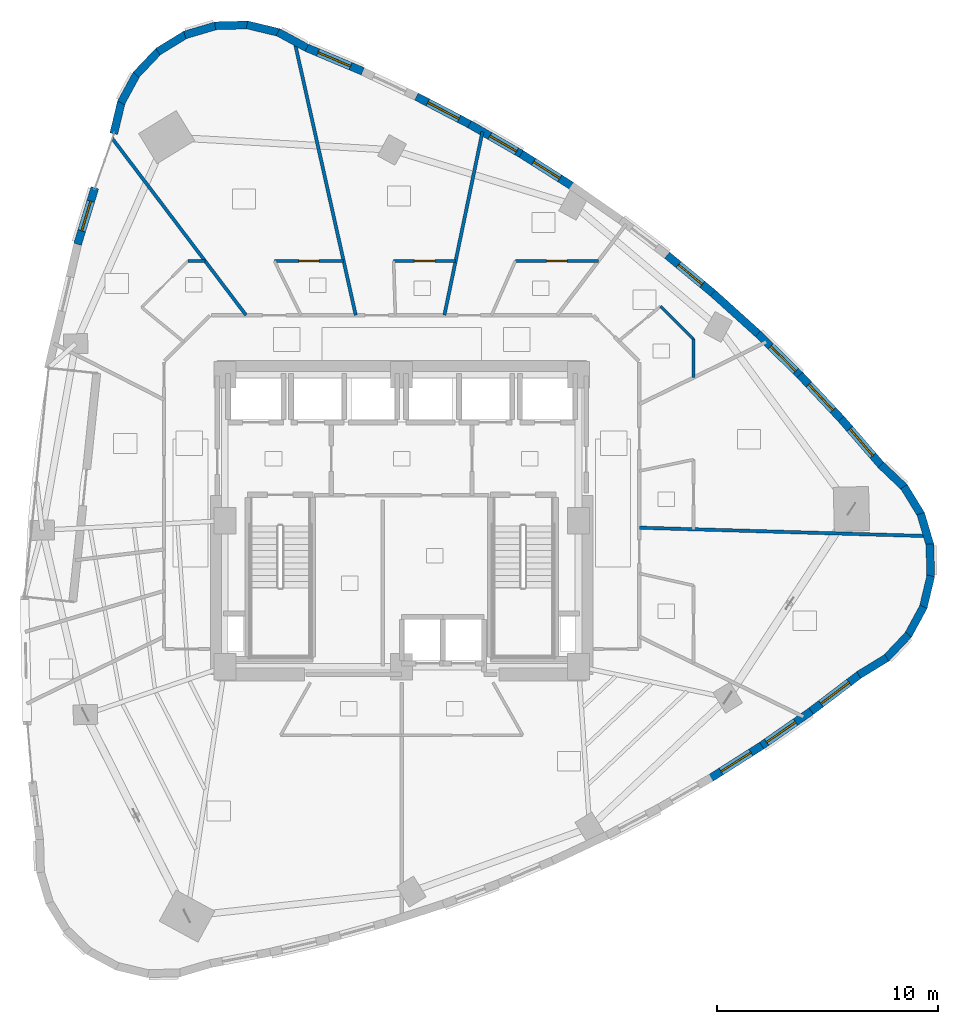
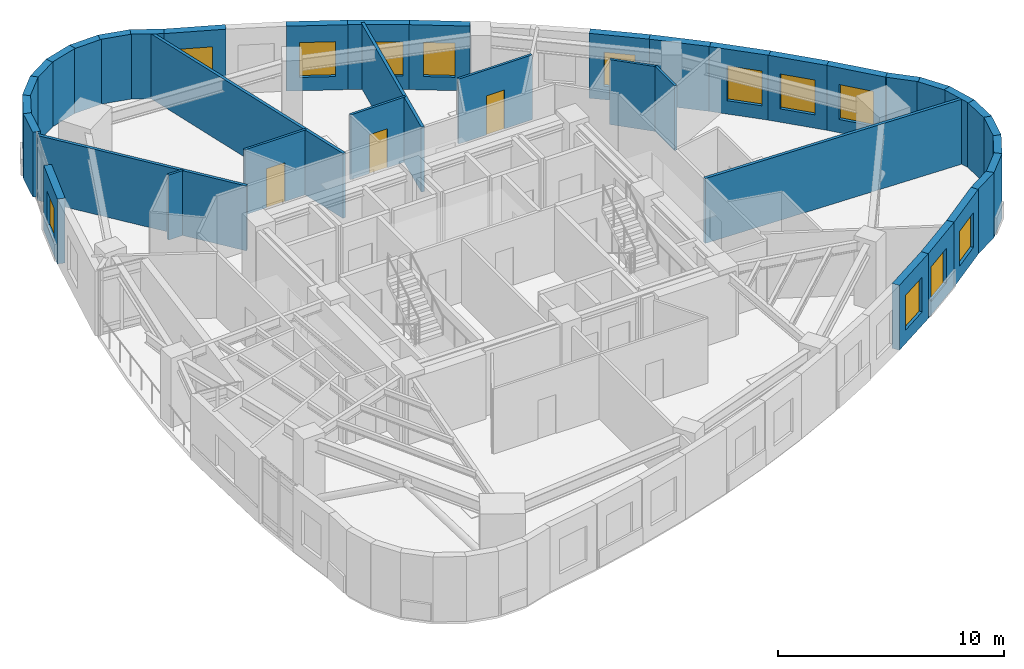
# One storey, part 12 of 16: 39 walls, 12 windows, 3 doors, 15 openings.
"""IFC4 building model written with IfcOpenShell, lengths in metres."""

from ifc_helpers import new_model, si_unit, direction, frame, frame_2d, origin, place, context, subcontext, project, spatial, rectangle, extrude, material, layer, layer_set, type_object, element, fill, save


model = new_model("IFC4")

# Units and contexts
model_context = context("Model", 3, precision=1e-05, world=origin(), true_north=direction((0.0, 1.0)))
body_context = subcontext(model_context, "Body", "Model", "MODEL_VIEW")
ifc_project = project(units=[si_unit("LENGTHUNIT", "METRE"), si_unit("AREAUNIT", "SQUARE_METRE"), si_unit("VOLUMEUNIT", "CUBIC_METRE"), si_unit("PLANEANGLEUNIT", "RADIAN"), si_unit("MASSUNIT", "GRAM", prefix="KILO")], contexts=[model_context])

# Site, building, storey
site_placement = place(None, origin())
site = spatial("IfcSite", under=ifc_project, at=site_placement, CompositionType="ELEMENT")
building_placement = place(site_placement, origin())
building = spatial("IfcBuilding", under=site, at=building_placement, Name="Ndelora Gate Hotel", CompositionType="ELEMENT")
storey_placement = place(building_placement, frame((0.0, 0.0, 97.25)))
storey = spatial("IfcBuildingStorey", under=building, at=storey_placement, Name="L23", CompositionType="ELEMENT", Elevation=97.25)

# Walls
ifc_material_1 = material(Name="Clay Brick Masonry", Category="masonry")
ifc_layer_1 = layer(ifc_material_1, 0.360107421875)
ifc_layer_set_1 = layer_set([ifc_layer_1], Name="Clay Brick Masonry")
wall_type_1 = type_object("IfcWallType", Name="WL-BRICK-360", PredefinedType="SOLIDWALL", material=ifc_layer_set_1)
for number, where, z_axis, x_axis, name in (
    (1, (-5.60009765625, 22.102294921875, 0.0), (0.0, 0.0, 1.0), (0.878835716595, -0.477124494484, 0.0), "L23 Tower Brick Pier-and-Spandrel Wall TWR-1"),
    (2, (-6.99853515625, 22.431396484375, 0.0), (0.0, 0.0, 1.0), (0.972399232605, -0.233323235941, 0.0), "L23 Tower Brick Pier-and-Spandrel Wall TWR-2"),
    (3, (-8.4345703125, 22.38720703125, 0.0), (0.0, 0.0, 1.0), (0.999654374037, 0.026289398397, 0.0), "L23 Tower Brick Pier-and-Spandrel Wall TWR-3"),
    (4, (-9.810302734375, 21.97314453125, 0.0), (0.0, 0.0, 1.0), (0.958851135896, 0.283909315084, 0.0), "L23 Tower Brick Pier-and-Spandrel Wall TWR-4"),
    (5, (-11.03173828125, 21.216796875, 0.0), (0.0, 0.0, 1.0), (0.852554021927, 0.522639110378, 0.0), "L23 Tower Brick Pier-and-Spandrel Wall TWR-5"),
    (6, (-12.01611328125, 20.17041015625, 0.0), (0.0, 0.0, 1.0), (0.688464400899, 0.725270134981, 0.0), "L23 Tower Brick Pier-and-Spandrel Wall TWR-6"),
    (7, (-12.69580078125, 18.90478515625, 0.0), (0.0, 0.0, 1.0), (0.477193395873, 0.878798306174, 0.0), "L23 Tower Brick Pier-and-Spandrel Wall TWR-7"),
):
    element("IfcWall", number, at=place(storey_placement, frame(where, z_axis=z_axis, x_axis=x_axis)), inside=storey, type_object=wall_type_1, Name=name, PredefinedType="SOLIDWALL", context=body_context, shape_type="SweptSolid", body=[
        extrude(rectangle(XDim=1.48583984375, YDim=0.360107421875, at=frame_2d((0.742919921875, 0.0))), origin(), (0.0, 0.0, 1.0), 3.5),
    ])
wall_1_placement = place(storey_placement, frame((-13.02490234375, 17.50634765625, 0.0), z_axis=(0.0, 0.0, 1.0), x_axis=(0.23351590147, 0.972352983109, 0.0)))
element("IfcWall", 8, at=wall_1_placement, inside=storey, type_object=wall_type_1, Name="L23 Tower Brick Pier-and-Spandrel Wall TWR-8", PredefinedType="SOLIDWALL", context=body_context, shape_type="SweptSolid", body=[
    extrude(rectangle(XDim=1.485595703125, YDim=0.360107421875, at=frame_2d((0.74267578125, 0.0))), origin(), (0.0, 0.0, 1.0), 3.5),
])

# Wall, opening, window
wall_2_placement = place(storey_placement, frame((-14.659912109375, 12.506591796875, 0.0), z_axis=(0.0, 0.0, 1.0), x_axis=(0.291842096338, 0.956466513164, 0.0)))
wall_2 = element("IfcWall", 9, at=wall_2_placement, inside=storey, type_object=wall_type_1, Name="L23 Tower Brick Pier-and-Spandrel Wall TWR-10", PredefinedType="SOLIDWALL", context=body_context, shape_type="SweptSolid", body=[
    extrude(rectangle(XDim=2.66943359375, YDim=0.360107421875, at=frame_2d((1.334716796875, 0.0))), origin(), (0.0, 0.0, 1.0), 3.5),
])
opening_1_placement = place(wall_2_placement, frame((0.634765625, 0.0, 0.719970703125)))
opening_1 = element("IfcOpeningElement", 10, at=opening_1_placement, cuts=wall_2, Name="Opening W02", PredefinedType="OPENING", context=body_context, shape_type="SweptSolid", body=[
    extrude(rectangle(XDim=1.39990234375, YDim=1.840087890625, at=frame_2d((0.699951171875, 0.919921875))), frame((0.0, 0.18994140625, 0.0), z_axis=(0.0, -1.0, 0.0), x_axis=(1.0, 0.0, 0.0)), (0.0, 0.0, 1.0), 0.380126953125),
])
ifc_material_2 = material(Name="Insulated Low-E Double Glazing in Bronze Aluminium Frame", Category="aluminium")
window_type_1 = type_object("IfcWindowType", Name="WN-DEEP-1400", PartitioningType="SINGLE_PANEL", PredefinedType="WINDOW", material=ifc_material_2)
window_1_placement = place(opening_1_placement, origin())
window_1 = element("IfcWindow", 11, at=window_1_placement, inside=storey, type_object=window_type_1, Name="L23 Deep-Set Brick-Pier Window W02", OverallHeight=1.840087890625, OverallWidth=1.39990234375, PartitioningType="SINGLE_PANEL", PredefinedType="WINDOW", context=body_context, shape_type="SweptSolid", body=[
    extrude(rectangle(XDim=1.39990234375, YDim=1.840087890625, at=frame_2d((0.699951171875, 0.919921875))), frame((0.0, 0.030029296875, 0.0), z_axis=(0.0, -1.0, 0.0), x_axis=(1.0, 0.0, 0.0)), (0.0, 0.0, 1.0), 0.06005859375),
])
fill(opening_1, window_1)

wall_3_placement = place(storey_placement, frame((16.285400390625, -10.1708984375, 0.0), z_axis=(0.0, 0.0, 1.0), x_axis=(-0.843759875161, -0.53672085209, 0.0)))
wall_3 = element("IfcWall", 12, at=wall_3_placement, inside=storey, type_object=wall_type_1, Name="L23 Tower Brick Pier-and-Spandrel Wall TWR-36", PredefinedType="SOLIDWALL", context=body_context, shape_type="SweptSolid", body=[
    extrude(rectangle(XDim=2.75830078125, YDim=0.360107421875, at=frame_2d((1.379150390625, 0.0))), origin(), (0.0, 0.0, 1.0), 3.5),
])
opening_2_placement = place(wall_3_placement, frame((0.5791015625, 0.0, 0.719970703125)))
opening_2 = element("IfcOpeningElement", 13, at=opening_2_placement, cuts=wall_3, Name="Opening W01", PredefinedType="OPENING", context=body_context, shape_type="SweptSolid", body=[
    extrude(rectangle(XDim=1.60009765625, YDim=1.8798828125, at=frame_2d((0.800048828125, 0.93994140625))), frame((0.0, 0.18994140625, 0.0), z_axis=(0.0, -1.0, 0.0), x_axis=(1.0, 0.0, 0.0)), (0.0, 0.0, 1.0), 0.380126953125),
])
window_type_2 = type_object("IfcWindowType", Name="WN-DEEP-1600", PartitioningType="SINGLE_PANEL", PredefinedType="WINDOW", material=ifc_material_2)
window_2_placement = place(opening_2_placement, origin())
window_2 = element("IfcWindow", 14, at=window_2_placement, inside=storey, type_object=window_type_2, Name="L23 Deep-Set Brick-Pier Window W01", OverallHeight=1.8798828125, OverallWidth=1.60009765625, PartitioningType="SINGLE_PANEL", PredefinedType="WINDOW", context=body_context, shape_type="SweptSolid", body=[
    extrude(rectangle(XDim=1.60009765625, YDim=1.8798828125, at=frame_2d((0.800048828125, 0.93994140625))), frame((0.0, 0.030029296875, 0.0), z_axis=(0.0, -1.0, 0.0), x_axis=(1.0, 0.0, 0.0)), (0.0, 0.0, 1.0), 0.06005859375),
])
fill(opening_2, window_2)

wall_4_placement = place(storey_placement, frame((18.523681640625, -8.612060546875, 0.0), z_axis=(0.0, 0.0, 1.0), x_axis=(-0.820851453433, -0.5711417437, 0.0)))
wall_4 = element("IfcWall", 15, at=wall_4_placement, inside=storey, type_object=wall_type_1, Name="L23 Tower Brick Pier-and-Spandrel Wall TWR-37", PredefinedType="SOLIDWALL", context=body_context, shape_type="SweptSolid", body=[
    extrude(rectangle(XDim=2.777587890625, YDim=0.360107421875, at=frame_2d((1.388671875, 0.0))), origin(), (0.0, 0.0, 1.0), 3.5),
])
opening_3_placement = place(wall_4_placement, frame((0.860107421875, 0.0, 0.719970703125)))
opening_3 = element("IfcOpeningElement", 16, at=opening_3_placement, cuts=wall_4, Name="Opening W03", PredefinedType="OPENING", context=body_context, shape_type="SweptSolid", body=[
    extrude(rectangle(XDim=1.60009765625, YDim=1.8798828125, at=frame_2d((0.800048828125, 0.93994140625))), frame((0.0, 0.18994140625, 0.0), z_axis=(0.0, -1.0, 0.0), x_axis=(1.0, 0.0, 0.0)), (0.0, 0.0, 1.0), 0.380126953125),
])
window_type_3 = type_object("IfcWindowType", Name="WN-CORN-2100", PartitioningType="SINGLE_PANEL", PredefinedType="WINDOW", material=ifc_material_2)
window_3_placement = place(opening_3_placement, origin())
window_3 = element("IfcWindow", 17, at=window_3_placement, inside=storey, type_object=window_type_3, Name="L23 Deep-Set Brick-Pier Window W03", OverallHeight=1.8798828125, OverallWidth=1.60009765625, PartitioningType="SINGLE_PANEL", PredefinedType="WINDOW", context=body_context, shape_type="SweptSolid", body=[
    extrude(rectangle(XDim=1.60009765625, YDim=1.8798828125, at=frame_2d((0.800048828125, 0.93994140625))), frame((0.0, 0.030029296875, 0.0), z_axis=(0.0, -1.0, 0.0), x_axis=(1.0, 0.0, 0.0)), (0.0, 0.0, 1.0), 0.06005859375),
])
fill(opening_3, window_3)

wall_5_placement = place(storey_placement, frame((20.715576171875, -6.949462890625, 0.0), z_axis=(0.0, 0.0, 1.0), x_axis=(-0.796935762967, -0.604064060928, 0.0)))
wall_5 = element("IfcWall", 18, at=wall_5_placement, inside=storey, type_object=wall_type_1, Name="L23 Tower Brick Pier-and-Spandrel Wall TWR-38", PredefinedType="SOLIDWALL", context=body_context, shape_type="SweptSolid", body=[
    extrude(rectangle(XDim=2.80126953125, YDim=0.360107421875, at=frame_2d((1.400634765625, 0.0))), origin(), (0.0, 0.0, 1.0), 3.5),
])
opening_4_placement = place(wall_5_placement, frame((0.6005859375, 0.0, 0.719970703125)))
opening_4 = element("IfcOpeningElement", 19, at=opening_4_placement, cuts=wall_5, Name="Opening W01", PredefinedType="OPENING", context=body_context, shape_type="SweptSolid", body=[
    extrude(rectangle(XDim=1.60009765625, YDim=1.8798828125, at=frame_2d((0.800048828125, 0.93994140625))), frame((0.0, 0.18994140625, 0.0), z_axis=(0.0, -1.0, 0.0), x_axis=(1.0, 0.0, 0.0)), (0.0, 0.0, 1.0), 0.380126953125),
])
window_4_placement = place(opening_4_placement, origin())
window_4 = element("IfcWindow", 20, at=window_4_placement, inside=storey, type_object=window_type_2, Name="L23 Deep-Set Brick-Pier Window W01", OverallHeight=1.8798828125, OverallWidth=1.60009765625, PartitioningType="SINGLE_PANEL", PredefinedType="WINDOW", context=body_context, shape_type="SweptSolid", body=[
    extrude(rectangle(XDim=1.60009765625, YDim=1.8798828125, at=frame_2d((0.800048828125, 0.93994140625))), frame((0.0, 0.030029296875, 0.0), z_axis=(0.0, -1.0, 0.0), x_axis=(1.0, 0.0, 0.0)), (0.0, 0.0, 1.0), 0.06005859375),
])
fill(opening_4, window_4)

# Walls
for number, where, z_axis, x_axis, name in (
    (21, (21.941162109375, -6.201416015625, 0.0), (0.0, 0.0, 1.0), (-0.852627228439, -0.522519673624, 0.0), "L23 Tower Brick Pier-and-Spandrel Wall TWR-39"),
    (22, (22.925537109375, -5.15478515625, 0.0), (0.0, 0.0, 1.0), (-0.688464400899, -0.725270134981, 0.0), "L23 Tower Brick Pier-and-Spandrel Wall TWR-40"),
):
    element("IfcWall", number, at=place(storey_placement, frame(where, z_axis=z_axis, x_axis=x_axis)), inside=storey, type_object=wall_type_1, Name=name, PredefinedType="SOLIDWALL", context=body_context, shape_type="SweptSolid", body=[
        extrude(rectangle(XDim=1.48583984375, YDim=0.360107421875, at=frame_2d((0.742919921875, 0.0))), origin(), (0.0, 0.0, 1.0), 3.5),
    ])
for number, where, z_axis, x_axis, name in (
    (23, (23.605224609375, -3.88916015625, 0.0), (0.0, 0.0, 1.0), (-0.477066476677, -0.878867212286, 0.0), "L23 Tower Brick Pier-and-Spandrel Wall TWR-41"),
    (24, (23.934326171875, -2.49072265625, 0.0), (0.0, 0.0, 1.0), (-0.233360521413, -0.972390285352, 0.0), "L23 Tower Brick Pier-and-Spandrel Wall TWR-42"),
):
    element("IfcWall", number, at=place(storey_placement, frame(where, z_axis=z_axis, x_axis=x_axis)), inside=storey, type_object=wall_type_1, Name=name, PredefinedType="SOLIDWALL", context=body_context, shape_type="SweptSolid", body=[
        extrude(rectangle(XDim=1.485595703125, YDim=0.360107421875, at=frame_2d((0.74267578125, 0.0))), origin(), (0.0, 0.0, 1.0), 3.5),
    ])
for number, where, z_axis, x_axis, name in (
    (25, (23.89013671875, -1.0546875, 0.0), (0.0, 0.0, 1.0), (0.026289398397, -0.999654374037, 0.0), "L23 Tower Brick Pier-and-Spandrel Wall TWR-43"),
    (26, (23.47607421875, 0.321044921875, 0.0), (0.0, 0.0, 1.0), (0.283909315084, -0.958851135896, 0.0), "L23 Tower Brick Pier-and-Spandrel Wall TWR-44"),
    (27, (22.719970703125, 1.54248046875, 0.0), (0.0, 0.0, 1.0), (0.522519673624, -0.852627228439, 0.0), "L23 Tower Brick Pier-and-Spandrel Wall TWR-45"),
    (28, (21.67333984375, 2.526611328125, 0.0), (0.0, 0.0, 1.0), (0.725430039612, -0.688295908479, 0.0), "L23 Tower Brick Pier-and-Spandrel Wall TWR-46"),
):
    element("IfcWall", number, at=place(storey_placement, frame(where, z_axis=z_axis, x_axis=x_axis)), inside=storey, type_object=wall_type_1, Name=name, PredefinedType="SOLIDWALL", context=body_context, shape_type="SweptSolid", body=[
        extrude(rectangle(XDim=1.48583984375, YDim=0.360107421875, at=frame_2d((0.742919921875, 0.0))), origin(), (0.0, 0.0, 1.0), 3.5),
    ])

# Wall, opening, window
wall_6_placement = place(storey_placement, frame((19.8759765625, 4.60986328125, 0.0), z_axis=(0.0, 0.0, 1.0), x_axis=(0.653907994708, -0.75657407731, 0.0)))
wall_6 = element("IfcWall", 29, at=wall_6_placement, inside=storey, type_object=wall_type_1, Name="L23 Tower Brick Pier-and-Spandrel Wall TWR-47", PredefinedType="SOLIDWALL", context=body_context, shape_type="SweptSolid", body=[
    extrude(rectangle(XDim=2.80126953125, YDim=0.360107421875, at=frame_2d((1.400634765625, 0.0))), origin(), (0.0, 0.0, 1.0), 3.5),
])
opening_5_placement = place(wall_6_placement, frame((0.6005859375, 0.0, 0.719970703125)))
opening_5 = element("IfcOpeningElement", 30, at=opening_5_placement, cuts=wall_6, Name="Opening W01", PredefinedType="OPENING", context=body_context, shape_type="SweptSolid", body=[
    extrude(rectangle(XDim=1.60009765625, YDim=1.8798828125, at=frame_2d((0.800048828125, 0.93994140625))), frame((0.0, 0.18994140625, 0.0), z_axis=(0.0, -1.0, 0.0), x_axis=(1.0, 0.0, 0.0)), (0.0, 0.0, 1.0), 0.380126953125),
])
window_5_placement = place(opening_5_placement, origin())
window_5 = element("IfcWindow", 31, at=window_5_placement, inside=storey, type_object=window_type_2, Name="L23 Deep-Set Brick-Pier Window W01", OverallHeight=1.8798828125, OverallWidth=1.60009765625, PartitioningType="SINGLE_PANEL", PredefinedType="WINDOW", context=body_context, shape_type="SweptSolid", body=[
    extrude(rectangle(XDim=1.60009765625, YDim=1.8798828125, at=frame_2d((0.800048828125, 0.93994140625))), frame((0.0, 0.030029296875, 0.0), z_axis=(0.0, -1.0, 0.0), x_axis=(1.0, 0.0, 0.0)), (0.0, 0.0, 1.0), 0.06005859375),
])
fill(opening_5, window_5)

wall_7_placement = place(storey_placement, frame((18.00927734375, 6.598388671875, 0.0), z_axis=(0.0, 0.0, 1.0), x_axis=(0.68415455393, -0.729337059484, 0.0)))
wall_7 = element("IfcWall", 32, at=wall_7_placement, inside=storey, type_object=wall_type_1, Name="L23 Tower Brick Pier-and-Spandrel Wall TWR-48", PredefinedType="SOLIDWALL", context=body_context, shape_type="SweptSolid", body=[
    extrude(rectangle(XDim=2.77734375, YDim=0.360107421875, at=frame_2d((1.388671875, 0.0))), origin(), (0.0, 0.0, 1.0), 3.5),
])
opening_6_placement = place(wall_7_placement, frame((0.5888671875, 0.0, 0.719970703125)))
opening_6 = element("IfcOpeningElement", 33, at=opening_6_placement, cuts=wall_7, Name="Opening W01", PredefinedType="OPENING", context=body_context, shape_type="SweptSolid", body=[
    extrude(rectangle(XDim=1.60009765625, YDim=1.8798828125, at=frame_2d((0.800048828125, 0.93994140625))), frame((0.0, 0.18994140625, 0.0), z_axis=(0.0, -1.0, 0.0), x_axis=(1.0, 0.0, 0.0)), (0.0, 0.0, 1.0), 0.380126953125),
])
window_6_placement = place(opening_6_placement, origin())
window_6 = element("IfcWindow", 34, at=window_6_placement, inside=storey, type_object=window_type_2, Name="L23 Deep-Set Brick-Pier Window W01", OverallHeight=1.8798828125, OverallWidth=1.60009765625, PartitioningType="SINGLE_PANEL", PredefinedType="WINDOW", context=body_context, shape_type="SweptSolid", body=[
    extrude(rectangle(XDim=1.60009765625, YDim=1.8798828125, at=frame_2d((0.800048828125, 0.93994140625))), frame((0.0, 0.030029296875, 0.0), z_axis=(0.0, -1.0, 0.0), x_axis=(1.0, 0.0, 0.0)), (0.0, 0.0, 1.0), 0.06005859375),
])
fill(opening_6, window_6)

wall_8_placement = place(storey_placement, frame((16.075439453125, 8.494873046875, 0.0), z_axis=(0.0, 0.0, 1.0), x_axis=(0.713713584755, -0.70043766242, 0.0)))
wall_8 = element("IfcWall", 35, at=wall_8_placement, inside=storey, type_object=wall_type_1, Name="L23 Tower Brick Pier-and-Spandrel Wall TWR-49", PredefinedType="SOLIDWALL", context=body_context, shape_type="SweptSolid", body=[
    extrude(rectangle(XDim=2.758544921875, YDim=0.360107421875, at=frame_2d((1.37939453125, 0.0))), origin(), (0.0, 0.0, 1.0), 3.5),
])
opening_7_placement = place(wall_8_placement, frame((0.860107421875, 0.0, 0.719970703125)))
opening_7 = element("IfcOpeningElement", 36, at=opening_7_placement, cuts=wall_8, Name="Opening W03", PredefinedType="OPENING", context=body_context, shape_type="SweptSolid", body=[
    extrude(rectangle(XDim=1.60009765625, YDim=1.8798828125, at=frame_2d((0.800048828125, 0.93994140625))), frame((0.0, 0.18994140625, 0.0), z_axis=(0.0, -1.0, 0.0), x_axis=(1.0, 0.0, 0.0)), (0.0, 0.0, 1.0), 0.380126953125),
])
window_7_placement = place(opening_7_placement, origin())
window_7 = element("IfcWindow", 37, at=window_7_placement, inside=storey, type_object=window_type_3, Name="L23 Deep-Set Brick-Pier Window W03", OverallHeight=1.8798828125, OverallWidth=1.60009765625, PartitioningType="SINGLE_PANEL", PredefinedType="WINDOW", context=body_context, shape_type="SweptSolid", body=[
    extrude(rectangle(XDim=1.60009765625, YDim=1.8798828125, at=frame_2d((0.800048828125, 0.93994140625))), frame((0.0, 0.030029296875, 0.0), z_axis=(0.0, -1.0, 0.0), x_axis=(1.0, 0.0, 0.0)), (0.0, 0.0, 1.0), 0.06005859375),
])
fill(opening_7, window_7)

# Wall
wall_9_placement = place(storey_placement, frame((14.07470703125, 10.299072265625, 0.0), z_axis=(0.0, 0.0, 1.0), x_axis=(0.742346706701, -0.67001594537, 0.0)))
element("IfcWall", 38, at=wall_9_placement, inside=storey, type_object=wall_type_1, Name="L23 Tower Brick Pier-and-Spandrel Wall TWR-50", PredefinedType="SOLIDWALL", context=body_context, shape_type="SweptSolid", body=[
    extrude(rectangle(XDim=2.744140625, YDim=0.360107421875, at=frame_2d((1.3720703125, 0.0))), origin(), (0.0, 0.0, 1.0), 3.5),
])

# Wall, opening, window
wall_10_placement = place(storey_placement, frame((12.007080078125, 12.01123046875, 0.0), z_axis=(0.0, 0.0, 1.0), x_axis=(0.769960149578, -0.63809197461, 0.0)))
wall_10 = element("IfcWall", 39, at=wall_10_placement, inside=storey, type_object=wall_type_1, Name="L23 Tower Brick Pier-and-Spandrel Wall TWR-51", PredefinedType="SOLIDWALL", context=body_context, shape_type="SweptSolid", body=[
    extrude(rectangle(XDim=2.734619140625, YDim=0.360107421875, at=frame_2d((1.3671875, 0.0))), origin(), (0.0, 0.0, 1.0), 3.5),
])
opening_8_placement = place(wall_10_placement, frame((0.667236328125, 0.0, 0.719970703125)))
opening_8 = element("IfcOpeningElement", 40, at=opening_8_placement, cuts=wall_10, Name="Opening W02", PredefinedType="OPENING", context=body_context, shape_type="SweptSolid", body=[
    extrude(rectangle(XDim=1.39990234375, YDim=1.840087890625, at=frame_2d((0.699951171875, 0.919921875))), frame((0.0, 0.18994140625, 0.0), z_axis=(0.0, -1.0, 0.0), x_axis=(1.0, 0.0, 0.0)), (0.0, 0.0, 1.0), 0.380126953125),
])
window_8_placement = place(opening_8_placement, origin())
window_8 = element("IfcWindow", 41, at=window_8_placement, inside=storey, type_object=window_type_1, Name="L23 Deep-Set Brick-Pier Window W02", OverallHeight=1.840087890625, OverallWidth=1.39990234375, PartitioningType="SINGLE_PANEL", PredefinedType="WINDOW", context=body_context, shape_type="SweptSolid", body=[
    extrude(rectangle(XDim=1.39990234375, YDim=1.840087890625, at=frame_2d((0.699951171875, 0.919921875))), frame((0.0, 0.030029296875, 0.0), z_axis=(0.0, -1.0, 0.0), x_axis=(1.0, 0.0, 0.0)), (0.0, 0.0, 1.0), 0.06005859375),
])
fill(opening_8, window_8)

wall_11_placement = place(storey_placement, frame((5.40283203125, 16.59423828125, 0.0), z_axis=(0.0, 0.0, 1.0), x_axis=(0.844802931873, -0.535077570357, 0.0)))
wall_11 = element("IfcWall", 42, at=wall_11_placement, inside=storey, type_object=wall_type_1, Name="L23 Tower Brick Pier-and-Spandrel Wall TWR-54", PredefinedType="SOLIDWALL", context=body_context, shape_type="SweptSolid", body=[
    extrude(rectangle(XDim=2.734375, YDim=0.360107421875, at=frame_2d((1.3671875, 0.0))), origin(), (0.0, 0.0, 1.0), 3.5),
])
opening_9_placement = place(wall_11_placement, frame((0.667236328125, 0.0, 0.719970703125)))
opening_9 = element("IfcOpeningElement", 43, at=opening_9_placement, cuts=wall_11, Name="Opening W02", PredefinedType="OPENING", context=body_context, shape_type="SweptSolid", body=[
    extrude(rectangle(XDim=1.39990234375, YDim=1.840087890625, at=frame_2d((0.699951171875, 0.919921875))), frame((0.0, 0.18994140625, 0.0), z_axis=(0.0, -1.0, 0.0), x_axis=(1.0, 0.0, 0.0)), (0.0, 0.0, 1.0), 0.380126953125),
])
window_9_placement = place(opening_9_placement, origin())
window_9 = element("IfcWindow", 44, at=window_9_placement, inside=storey, type_object=window_type_1, Name="L23 Deep-Set Brick-Pier Window W02", OverallHeight=1.840087890625, OverallWidth=1.39990234375, PartitioningType="SINGLE_PANEL", PredefinedType="WINDOW", context=body_context, shape_type="SweptSolid", body=[
    extrude(rectangle(XDim=1.39990234375, YDim=1.840087890625, at=frame_2d((0.699951171875, 0.919921875))), frame((0.0, 0.030029296875, 0.0), z_axis=(0.0, -1.0, 0.0), x_axis=(1.0, 0.0, 0.0)), (0.0, 0.0, 1.0), 0.06005859375),
])
fill(opening_9, window_9)

wall_12_placement = place(storey_placement, frame((3.067626953125, 17.937744140625, 0.0), z_axis=(0.0, 0.0, 1.0), x_axis=(0.866601472799, -0.499000889121, 0.0)))
wall_12 = element("IfcWall", 45, at=wall_12_placement, inside=storey, type_object=wall_type_1, Name="L23 Tower Brick Pier-and-Spandrel Wall TWR-55", PredefinedType="SOLIDWALL", context=body_context, shape_type="SweptSolid", body=[
    extrude(rectangle(XDim=2.744140625, YDim=0.360107421875, at=frame_2d((1.3720703125, 0.0))), origin(), (0.0, 0.0, 1.0), 3.5),
])
opening_10_placement = place(wall_12_placement, frame((1.06005859375, 0.0, 0.719970703125)))
opening_10 = element("IfcOpeningElement", 46, at=opening_10_placement, cuts=wall_12, Name="Opening W02", PredefinedType="OPENING", context=body_context, shape_type="SweptSolid", body=[
    extrude(rectangle(XDim=1.39990234375, YDim=1.840087890625, at=frame_2d((0.699951171875, 0.919921875))), frame((0.0, 0.18994140625, 0.0), z_axis=(0.0, -1.0, 0.0), x_axis=(1.0, 0.0, 0.0)), (0.0, 0.0, 1.0), 0.380126953125),
])
window_10_placement = place(opening_10_placement, origin())
window_10 = element("IfcWindow", 47, at=window_10_placement, inside=storey, type_object=window_type_1, Name="L23 Deep-Set Brick-Pier Window W02", OverallHeight=1.840087890625, OverallWidth=1.39990234375, PartitioningType="SINGLE_PANEL", PredefinedType="WINDOW", context=body_context, shape_type="SweptSolid", body=[
    extrude(rectangle(XDim=1.39990234375, YDim=1.840087890625, at=frame_2d((0.699951171875, 0.919921875))), frame((0.0, 0.030029296875, 0.0), z_axis=(0.0, -1.0, 0.0), x_axis=(1.0, 0.0, 0.0)), (0.0, 0.0, 1.0), 0.06005859375),
])
fill(opening_10, window_10)

wall_13_placement = place(storey_placement, frame((0.66552734375, 19.18896484375, 0.0), z_axis=(0.0, 0.0, 1.0), x_axis=(0.886704748188, -0.462336121822, 0.0)))
wall_13 = element("IfcWall", 48, at=wall_13_placement, inside=storey, type_object=wall_type_1, Name="L23 Tower Brick Pier-and-Spandrel Wall TWR-56", PredefinedType="SOLIDWALL", context=body_context, shape_type="SweptSolid", body=[
    extrude(rectangle(XDim=2.758544921875, YDim=0.360107421875, at=frame_2d((1.37939453125, 0.0))), origin(), (0.0, 0.0, 1.0), 3.5),
])
opening_11_placement = place(wall_13_placement, frame((0.5791015625, 0.0, 0.719970703125)))
opening_11 = element("IfcOpeningElement", 49, at=opening_11_placement, cuts=wall_13, Name="Opening W01", PredefinedType="OPENING", context=body_context, shape_type="SweptSolid", body=[
    extrude(rectangle(XDim=1.60009765625, YDim=1.8798828125, at=frame_2d((0.800048828125, 0.93994140625))), frame((0.0, 0.18994140625, 0.0), z_axis=(0.0, -1.0, 0.0), x_axis=(1.0, 0.0, 0.0)), (0.0, 0.0, 1.0), 0.380126953125),
])
window_11_placement = place(opening_11_placement, origin())
window_11 = element("IfcWindow", 50, at=window_11_placement, inside=storey, type_object=window_type_2, Name="L23 Deep-Set Brick-Pier Window W01", OverallHeight=1.8798828125, OverallWidth=1.60009765625, PartitioningType="SINGLE_PANEL", PredefinedType="WINDOW", context=body_context, shape_type="SweptSolid", body=[
    extrude(rectangle(XDim=1.60009765625, YDim=1.8798828125, at=frame_2d((0.800048828125, 0.93994140625))), frame((0.0, 0.030029296875, 0.0), z_axis=(0.0, -1.0, 0.0), x_axis=(1.0, 0.0, 0.0)), (0.0, 0.0, 1.0), 0.06005859375),
])
fill(opening_11, window_11)

wall_14_placement = place(storey_placement, frame((-4.33935546875, 21.4150390625, 0.0), z_axis=(0.0, 0.0, 1.0), x_axis=(0.921579586259, -0.388189472025, 0.0)))
wall_14 = element("IfcWall", 51, at=wall_14_placement, inside=storey, type_object=wall_type_1, Name="L23 Tower Brick Pier-and-Spandrel Wall TWR-58", PredefinedType="SOLIDWALL", context=body_context, shape_type="SweptSolid", body=[
    extrude(rectangle(XDim=2.80126953125, YDim=0.360107421875, at=frame_2d((1.400634765625, 0.0))), origin(), (0.0, 0.0, 1.0), 3.5),
])
opening_12_placement = place(wall_14_placement, frame((0.6005859375, 0.0, 0.719970703125)))
opening_12 = element("IfcOpeningElement", 52, at=opening_12_placement, cuts=wall_14, Name="Opening W01", PredefinedType="OPENING", context=body_context, shape_type="SweptSolid", body=[
    extrude(rectangle(XDim=1.60009765625, YDim=1.8798828125, at=frame_2d((0.800048828125, 0.93994140625))), frame((0.0, 0.18994140625, 0.0), z_axis=(0.0, -1.0, 0.0), x_axis=(1.0, 0.0, 0.0)), (0.0, 0.0, 1.0), 0.380126953125),
])
window_12_placement = place(opening_12_placement, origin())
window_12 = element("IfcWindow", 53, at=window_12_placement, inside=storey, type_object=window_type_2, Name="L23 Deep-Set Brick-Pier Window W01", OverallHeight=1.8798828125, OverallWidth=1.60009765625, PartitioningType="SINGLE_PANEL", PredefinedType="WINDOW", context=body_context, shape_type="SweptSolid", body=[
    extrude(rectangle(XDim=1.60009765625, YDim=1.8798828125, at=frame_2d((0.800048828125, 0.93994140625))), frame((0.0, 0.030029296875, 0.0), z_axis=(0.0, -1.0, 0.0), x_axis=(1.0, 0.0, 0.0)), (0.0, 0.0, 1.0), 0.06005859375),
])
fill(opening_12, window_12)

# Walls
ifc_material_3 = material(Name="Fire-Rated Gypsum Stud Partition", Category="gypsum")
ifc_layer_2 = layer(ifc_material_3, 0.14990234375)
ifc_layer_set_2 = layer_set([ifc_layer_2], Name="Fire-Rated Gypsum Stud Partition")
wall_type_2 = type_object("IfcWallType", Name="WL-PART-150", PredefinedType="PARTITIONING", material=ifc_layer_set_2)
wall_15_placement = place(storey_placement, frame((10.75, -0.3134765625, 0.0), z_axis=(0.0, 0.0, 1.0), x_axis=(0.999575058165, -0.029149667157, 0.0)))
element("IfcWall", 54, at=wall_15_placement, inside=storey, type_object=wall_type_2, Name="L23 Interior Wall IW-5", PredefinedType="PARTITIONING", context=body_context, shape_type="SweptSolid", body=[
    extrude(rectangle(XDim=13.0322265625, YDim=0.14990234375, at=frame_2d((6.51611328125, 0.0))), origin(), (0.0, 0.0, 1.0), 3.5),
])
wall_16_placement = place(storey_placement, frame((1.93115234375, 9.300048828125, 0.0), z_axis=(0.0, 0.0, 1.0), x_axis=(0.203305542184, 0.979115343827, 0.0)))
element("IfcWall", 55, at=wall_16_placement, inside=storey, type_object=wall_type_2, Name="L23 Interior Wall IW-5", PredefinedType="PARTITIONING", context=body_context, shape_type="SweptSolid", body=[
    extrude(rectangle(XDim=8.476806640625, YDim=0.14990234375, at=frame_2d((4.23828125, 0.0))), origin(), (0.0, 0.0, 1.0), 3.5),
])
wall_17_placement = place(storey_placement, frame((-2.07861328125, 9.300048828125, 0.0), z_axis=(0.0, 0.0, 1.0), x_axis=(-0.218143379007, 0.975916731179, 0.0)))
element("IfcWall", 56, at=wall_17_placement, inside=storey, type_object=wall_type_2, Name="L23 Interior Wall IW-5", PredefinedType="PARTITIONING", context=body_context, shape_type="SweptSolid", body=[
    extrude(rectangle(XDim=12.700439453125, YDim=0.14990234375, at=frame_2d((6.35009765625, 0.0))), origin(), (0.0, 0.0, 1.0), 3.5),
])
wall_18_placement = place(storey_placement, frame((-7.040283203125, 9.300048828125, 0.0), z_axis=(0.0, 0.0, 1.0), x_axis=(-0.60357057416, 0.797309577271, 0.0)))
element("IfcWall", 57, at=wall_18_placement, inside=storey, type_object=wall_type_2, Name="L23 Interior Wall IW-5", PredefinedType="PARTITIONING", context=body_context, shape_type="SweptSolid", body=[
    extrude(rectangle(XDim=10.037109375, YDim=0.14990234375, at=frame_2d((5.0185546875, 0.0))), origin(), (0.0, 0.0, 1.0), 3.5),
])
ifc_material_4 = material(Name="Moisture-Resistant Bathroom Tile Partition", Category="gypsum")
ifc_layer_3 = layer(ifc_material_4, 0.1201171875)
ifc_layer_set_3 = layer_set([ifc_layer_3], Name="Moisture-Resistant Bathroom Tile Partition")
wall_type_3 = type_object("IfcWallType", Name="WL-WET-120", PredefinedType="PARTITIONING", material=ifc_layer_set_3)
wall_19_placement = place(storey_placement, frame((11.712890625, 9.701904296875, 0.0), z_axis=(0.0, 0.0, 1.0), x_axis=(0.707106781187, -0.707106781187, 0.0)))
element("IfcWall", 58, at=wall_19_placement, inside=storey, type_object=wall_type_3, Name="L23 Interior Wall IW-7", PredefinedType="PARTITIONING", context=body_context, shape_type="SweptSolid", body=[
    extrude(rectangle(XDim=2.10302734375, YDim=0.1201171875, at=frame_2d((1.051513671875, 0.0))), origin(), (0.0, 0.0, 1.0), 3.5),
])
wall_20_placement = place(storey_placement, frame((13.199951171875, 6.4765625, 0.0), z_axis=(0.0, 0.0, 1.0), x_axis=(0.0, 1.0, 0.0)))
element("IfcWall", 59, at=wall_20_placement, inside=storey, type_object=wall_type_3, Name="L23 Interior Wall IW-7", PredefinedType="PARTITIONING", context=body_context, shape_type="SweptSolid", body=[
    extrude(rectangle(XDim=1.73828125, YDim=0.1201171875, at=frame_2d((0.869140625, 0.0))), origin(), (0.0, 0.0, 1.0), 3.5),
])

# Wall, opening, door
wall_21_placement = place(storey_placement, frame((5.139892578125, 11.75, 0.0), z_axis=(0.0, 0.0, 1.0), x_axis=(1.0, 0.0, 0.0)))
wall_21 = element("IfcWall", 60, at=wall_21_placement, inside=storey, type_object=wall_type_3, Name="L23 Interior Wall IW-7", PredefinedType="PARTITIONING", context=body_context, shape_type="SweptSolid", body=[
    extrude(rectangle(XDim=3.755126953125, YDim=0.1201171875, at=frame_2d((1.87744140625, 0.0))), origin(), (0.0, 0.0, 1.0), 3.5),
])
opening_13_placement = place(wall_21_placement, frame((1.41748046875, 0.0, 0.0)))
opening_13 = element("IfcOpeningElement", 61, at=opening_13_placement, cuts=wall_21, Name="Opening D03", PredefinedType="OPENING", context=body_context, shape_type="SweptSolid", body=[
    extrude(rectangle(XDim=0.919921875, YDim=2.10009765625, at=frame_2d((0.4599609375, 1.050048828125))), frame((0.0, 0.070068359375, 0.0), z_axis=(0.0, -1.0, 0.0), x_axis=(1.0, 0.0, 0.0)), (0.0, 0.0, 1.0), 0.14013671875),
])
ifc_material_5 = material(Name="Moisture-Resistant Hardwood En-Suite Door", Category="wood")
door_type = type_object("IfcDoorType", Name="DR-BATH-920", OperationType="SINGLE_SWING_LEFT", PredefinedType="DOOR", material=ifc_material_5)
door_1_placement = place(opening_13_placement, origin())
door_1 = element("IfcDoor", 62, at=door_1_placement, inside=storey, type_object=door_type, Name="L23 En-suite Bathroom 2606 Door", OperationType="SINGLE_SWING_LEFT", OverallHeight=2.10009765625, OverallWidth=0.919921875, PredefinedType="DOOR", context=body_context, shape_type="SweptSolid", body=[
    extrude(rectangle(XDim=0.919921875, YDim=2.10009765625, at=frame_2d((0.4599609375, 1.050048828125))), frame((0.0, 0.02490234375, 0.0), z_axis=(0.0, -1.0, 0.0), x_axis=(1.0, 0.0, 0.0)), (0.0, 0.0, 1.0), 0.050048828125),
])
fill(opening_13, door_1)

wall_22_placement = place(storey_placement, frame((-0.363037109375, 11.75, 0.0), z_axis=(0.0, 0.0, 1.0), x_axis=(1.0, 0.0, 0.0)))
wall_22 = element("IfcWall", 63, at=wall_22_placement, inside=storey, type_object=wall_type_3, Name="L23 Interior Wall IW-7", PredefinedType="PARTITIONING", context=body_context, shape_type="SweptSolid", body=[
    extrude(rectangle(XDim=2.802734375, YDim=0.1201171875, at=frame_2d((1.4013671875, 0.0))), origin(), (0.0, 0.0, 1.0), 3.5),
])
opening_14_placement = place(wall_22_placement, frame((0.94140625, 0.0, 0.0)))
opening_14 = element("IfcOpeningElement", 64, at=opening_14_placement, cuts=wall_22, Name="Opening D03", PredefinedType="OPENING", context=body_context, shape_type="SweptSolid", body=[
    extrude(rectangle(XDim=0.919921875, YDim=2.10009765625, at=frame_2d((0.4599609375, 1.050048828125))), frame((0.0, 0.070068359375, 0.0), z_axis=(0.0, -1.0, 0.0), x_axis=(1.0, 0.0, 0.0)), (0.0, 0.0, 1.0), 0.14013671875),
])
door_2_placement = place(opening_14_placement, origin())
door_2 = element("IfcDoor", 65, at=door_2_placement, inside=storey, type_object=door_type, Name="L23 En-suite Bathroom 2607 Door", OperationType="SINGLE_SWING_RIGHT", OverallHeight=2.10009765625, OverallWidth=0.919921875, PredefinedType="DOOR", context=body_context, shape_type="SweptSolid", body=[
    extrude(rectangle(XDim=0.919921875, YDim=2.10009765625, at=frame_2d((0.4599609375, 1.050048828125))), frame((0.0, 0.02490234375, 0.0), z_axis=(0.0, -1.0, 0.0), x_axis=(1.0, 0.0, 0.0)), (0.0, 0.0, 1.0), 0.050048828125),
])
fill(opening_14, door_2)

wall_23_placement = place(storey_placement, frame((-5.756103515625, 11.75, 0.0), z_axis=(0.0, 0.0, 1.0), x_axis=(1.0, 0.0, 0.0)))
wall_23 = element("IfcWall", 66, at=wall_23_placement, inside=storey, type_object=wall_type_3, Name="L23 Interior Wall IW-7", PredefinedType="PARTITIONING", context=body_context, shape_type="SweptSolid", body=[
    extrude(rectangle(XDim=3.1298828125, YDim=0.1201171875, at=frame_2d((1.56494140625, 0.0))), origin(), (0.0, 0.0, 1.0), 3.5),
])
opening_15_placement = place(wall_23_placement, frame((1.10498046875, 0.0, 0.0)))
opening_15 = element("IfcOpeningElement", 67, at=opening_15_placement, cuts=wall_23, Name="Opening D03", PredefinedType="OPENING", context=body_context, shape_type="SweptSolid", body=[
    extrude(rectangle(XDim=0.919921875, YDim=2.10009765625, at=frame_2d((0.4599609375, 1.050048828125))), frame((0.0, 0.070068359375, 0.0), z_axis=(0.0, -1.0, 0.0), x_axis=(1.0, 0.0, 0.0)), (0.0, 0.0, 1.0), 0.14013671875),
])
door_3_placement = place(opening_15_placement, origin())
door_3 = element("IfcDoor", 68, at=door_3_placement, inside=storey, type_object=door_type, Name="L23 En-suite Bathroom 2608 Door", OperationType="SINGLE_SWING_LEFT", OverallHeight=2.10009765625, OverallWidth=0.919921875, PredefinedType="DOOR", context=body_context, shape_type="SweptSolid", body=[
    extrude(rectangle(XDim=0.919921875, YDim=2.10009765625, at=frame_2d((0.4599609375, 1.050048828125))), frame((0.0, 0.02490234375, 0.0), z_axis=(0.0, -1.0, 0.0), x_axis=(1.0, 0.0, 0.0)), (0.0, 0.0, 1.0), 0.050048828125),
])
fill(opening_15, door_3)

# Wall
wall_24_placement = place(storey_placement, frame((-8.89501953125, 11.75, 0.0), z_axis=(0.0, 0.0, 1.0), x_axis=(-1.0, 0.0, 0.0)))
element("IfcWall", 69, at=wall_24_placement, inside=storey, type_object=wall_type_3, Name="L23 Interior Wall IW-7", PredefinedType="PARTITIONING", context=body_context, shape_type="SweptSolid", body=[
    extrude(rectangle(XDim=0.769775390625, YDim=0.1201171875, at=frame_2d((0.384765625, 0.0))), origin(), (0.0, 0.0, 1.0), 3.5),
])

save(model, "model.ifc")
